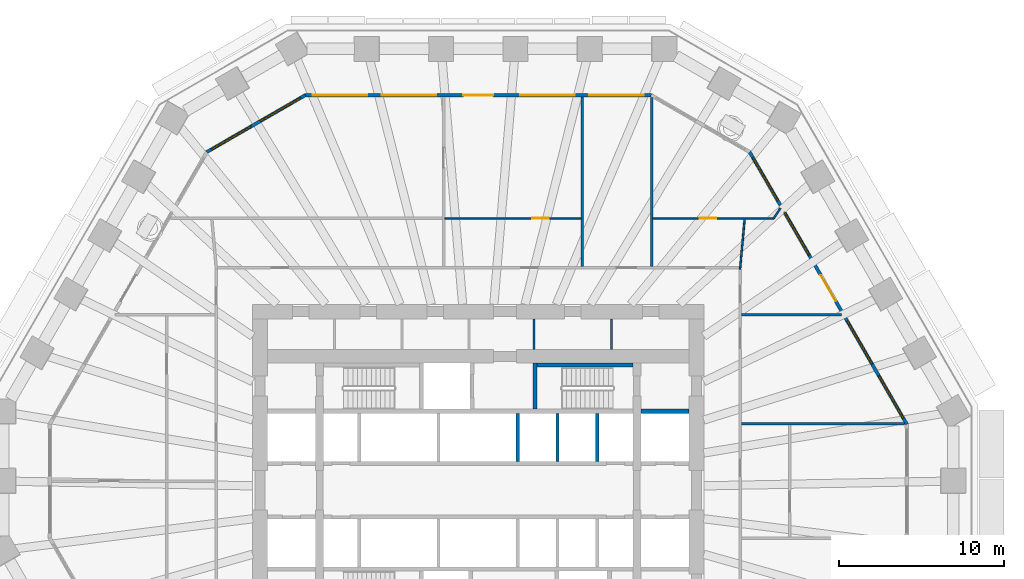
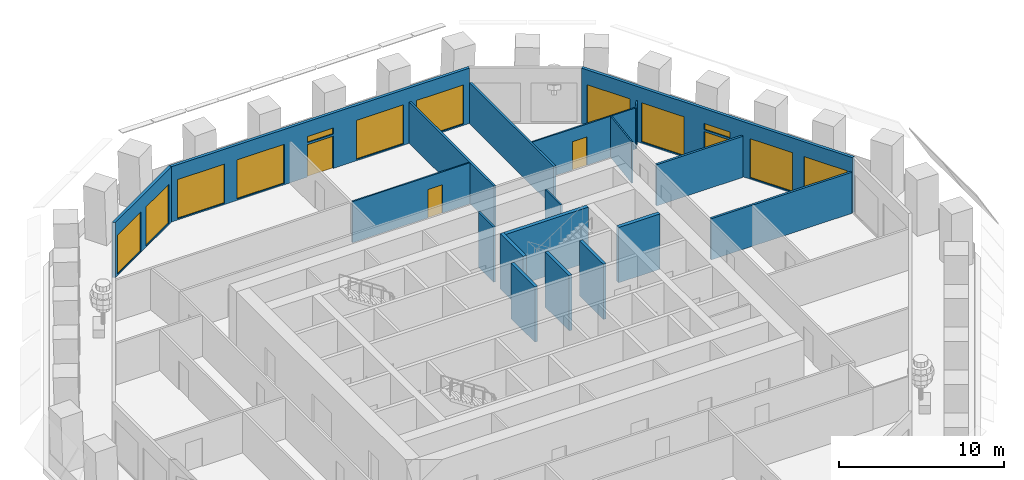
# One storey, part 8 of 13: 19 walls, 12 windows, 4 doors, 16 openings.
"""IFC4 building model written with IfcOpenShell, lengths in metres."""

from ifc_helpers import new_model, si_unit, direction, frame, frame_2d, origin, place, context, subcontext, project, spatial, polyline, rectangle, outline, extrude, material, layer, layer_set, type_object, element, fill, save


model = new_model("IFC4")

# Units and contexts
model_context = context("Model", 3, precision=1e-05, world=origin(), true_north=direction((0.0, 1.0)))
body_context = subcontext(model_context, "Body", "Model", "MODEL_VIEW")
ifc_project = project(units=[si_unit("LENGTHUNIT", "METRE"), si_unit("AREAUNIT", "SQUARE_METRE"), si_unit("VOLUMEUNIT", "CUBIC_METRE"), si_unit("PLANEANGLEUNIT", "RADIAN"), si_unit("MASSUNIT", "GRAM", prefix="KILO")], contexts=[model_context])

# Site, building, storey
site_placement = place(None, origin())
site = spatial("IfcSite", under=ifc_project, at=site_placement, CompositionType="ELEMENT")
building_placement = place(site_placement, origin())
building = spatial("IfcBuilding", under=site, at=building_placement, Name="Frailejon Research Tower", CompositionType="ELEMENT")
storey_placement = place(building_placement, frame((0.0, 0.0, 32.199951171875)))
storey = spatial("IfcBuildingStorey", under=building, at=storey_placement, Name="L07", CompositionType="ELEMENT", Elevation=32.199951171875)

# Walls
ifc_material_1 = material(Name="Plasterboard on steel studs", Category="steel")
ifc_layer_1 = layer(ifc_material_1, 0.125)
ifc_layer_set_1 = layer_set([ifc_layer_1], Name="Core partition 125")
wall_type_1 = type_object("IfcWallType", Name="Core partition 125", PredefinedType="PARTITIONING", material=ifc_layer_set_1)
for number, where, z_axis, x_axis, name in (
    (1, (3.362548828125, 8.5, 0.0), (0.0, 0.0, 1.0), (0.0, 1.0, 0.0), "Core partition"),
    (2, (8.05615234375, 8.5, 0.0), (0.0, 0.0, 1.0), (0.0, 1.0, 0.0), "Core partition"),
):
    element("IfcWall", number, at=place(storey_placement, frame(where, z_axis=z_axis, x_axis=x_axis)), inside=storey, type_object=wall_type_1, Name=name, PredefinedType="PARTITIONING", context=body_context, shape_type="SweptSolid", body=[
        extrude(rectangle(XDim=1.85009765625, YDim=0.125, at=frame_2d((0.925048828125, 0.0))), origin(), (0.0, 0.0, 1.0), 4.10009765625),
    ])
ifc_material_2 = material(Name="Gypsum board and masonry partition", Category="masonry")
ifc_layer_2 = layer(ifc_material_2, 0.14990234375)
ifc_layer_set_2 = layer_set([ifc_layer_2], Name="Laboratory partition, blockwork 150")
wall_type_2 = type_object("IfcWallType", Name="Laboratory partition, blockwork 150", PredefinedType="PARTITIONING", material=ifc_layer_set_2)
wall_1_placement = place(storey_placement, frame((15.925048828125, 4.01708984375, 0.0), z_axis=(0.0, 0.0, 1.0), x_axis=(1.0, 0.0, 0.0)))
element("IfcWall", 3, at=wall_1_placement, inside=storey, type_object=wall_type_2, Name="T:IW:L07:006", PredefinedType="PARTITIONING", context=body_context, shape_type="SweptSolid", body=[
    extrude(rectangle(XDim=9.876220703125, YDim=0.14990234375, at=frame_2d((4.93798828125, 0.0))), origin(), (0.0, 0.0, 1.0), 3.050048828125),
])
wall_2_placement = place(storey_placement, frame((15.925048828125, 10.624755859375, 0.0), z_axis=(0.0, 0.0, 1.0), x_axis=(1.0, 0.0, 0.0)))
element("IfcWall", 4, at=wall_2_placement, inside=storey, type_object=wall_type_2, Name="T:IW:L07:009", PredefinedType="PARTITIONING", context=body_context, shape_type="SweptSolid", body=[
    extrude(rectangle(XDim=6.061279296875, YDim=0.14990234375, at=frame_2d((3.03076171875, 0.0))), origin(), (0.0, 0.0, 1.0), 3.050048828125),
])
wall_3_placement = place(storey_placement, frame((10.4951171875, 13.52490234375, 0.0), z_axis=(0.0, 0.0, 1.0), x_axis=(0.0, 1.0, 0.0)))
element("IfcWall", 5, at=wall_3_placement, inside=storey, type_object=wall_type_2, Name="T:IW:L07:010", PredefinedType="PARTITIONING", context=body_context, shape_type="SweptSolid", body=[
    extrude(rectangle(XDim=10.244140625, YDim=0.14990234375, at=frame_2d((5.1220703125, 0.0))), origin(), (0.0, 0.0, 1.0), 3.050048828125),
])
wall_4_placement = place(storey_placement, frame((6.297119140625, 13.52490234375, 0.0), z_axis=(0.0, 0.0, 1.0), x_axis=(0.0, 1.0, 0.0)))
element("IfcWall", 6, at=wall_4_placement, inside=storey, type_object=wall_type_2, Name="T:IW:L07:011", PredefinedType="PARTITIONING", context=body_context, shape_type="SweptSolid", body=[
    extrude(rectangle(XDim=10.275146484375, YDim=0.14990234375, at=frame_2d((5.1376953125, 0.0))), origin(), (0.0, 0.0, 1.0), 3.050048828125),
])
ifc_material_3 = material(Name="Gypsum board and masonry partition", Category="masonry")
ifc_layer_3 = layer(ifc_material_3, 0.10009765625)
ifc_layer_set_3 = layer_set([ifc_layer_3], Name="Partition, gypsum on steel studs 100")
wall_type_3 = type_object("IfcWallType", Name="Partition, gypsum on steel studs 100", PredefinedType="PARTITIONING", material=ifc_layer_set_3)
wall_5_placement = place(storey_placement, frame((15.84326171875, 13.375244140625, 0.0), z_axis=(0.0, 0.0, 1.0), x_axis=(0.090666194534, 0.9958813389, 0.0)))
element("IfcWall", 7, at=wall_5_placement, inside=storey, type_object=wall_type_3, Name="T:IW:L07:025", PredefinedType="PARTITIONING", context=body_context, shape_type="SweptSolid", body=[
    extrude(rectangle(XDim=3.037353515625, YDim=0.10009765625, at=frame_2d((1.5185546875, 0.0))), origin(), (0.0, 0.0, 1.0), 3.050048828125),
])

# Wall, opening, door
wall_6_placement = place(storey_placement, frame((-2.02392578125, 16.449951171875, 0.0), z_axis=(0.0, 0.0, 1.0), x_axis=(1.0, 0.0, 0.0)))
wall_6 = element("IfcWall", 8, at=wall_6_placement, inside=storey, type_object=wall_type_3, Name="T:IW:L07:026", PredefinedType="PARTITIONING", context=body_context, shape_type="SweptSolid", body=[
    extrude(rectangle(XDim=8.245849609375, YDim=0.10009765625, at=frame_2d((4.123046875, 0.0))), origin(), (0.0, 0.0, 1.0), 3.050048828125),
])
opening_1_placement = place(wall_6_placement, frame((5.297119140625, 0.0, 0.0)))
opening_1 = element("IfcOpeningElement", 9, at=opening_1_placement, cuts=wall_6, Name="Opening D1327", PredefinedType="OPENING", context=body_context, shape_type="SweptSolid", body=[
    extrude(rectangle(XDim=1.0, YDim=2.10009765625, at=frame_2d((0.5, 1.050048828125))), frame((0.0, 0.06005859375, 0.0), z_axis=(0.0, -1.0, 0.0), x_axis=(1.0, 0.0, 0.0)), (0.0, 0.0, 1.0), 0.1201171875),
])
ifc_material_4 = material(Name="Timber door leaf", Category="wood")
door_type_1 = type_object("IfcDoorType", Name="Door single leaf, timber, steel frame 1000", OperationType="NOTDEFINED", PredefinedType="DOOR", material=ifc_material_4)
door_1_placement = place(opening_1_placement, origin())
door_1 = element("IfcDoor", 10, at=door_1_placement, inside=storey, type_object=door_type_1, Name="D1327", OperationType="SINGLE_SWING_LEFT", OverallHeight=2.10009765625, OverallWidth=1.0, PredefinedType="DOOR", context=body_context, shape_type="SweptSolid", body=[
    extrude(rectangle(XDim=1.0, YDim=2.10009765625, at=frame_2d((0.5, 1.050048828125))), frame((0.0, 0.02490234375, 0.0), z_axis=(0.0, -1.0, 0.0), x_axis=(1.0, 0.0, 0.0)), (0.0, 0.0, 1.0), 0.050048828125),
])
fill(opening_1, door_1)

wall_7_placement = place(storey_placement, frame((10.570068359375, 16.449951171875, 0.0), z_axis=(0.0, 0.0, 1.0), x_axis=(1.0, 0.0, 0.0)))
wall_7 = element("IfcWall", 11, at=wall_7_placement, inside=storey, type_object=wall_type_3, Name="T:IW:L07:027", PredefinedType="PARTITIONING", context=body_context, shape_type="SweptSolid", body=[
    extrude(rectangle(XDim=7.254638671875, YDim=0.10009765625, at=frame_2d((3.62744140625, 0.0))), origin(), (0.0, 0.0, 1.0), 3.050048828125),
])
opening_2_placement = place(wall_7_placement, frame((2.828125, 0.0, 0.0)))
opening_2 = element("IfcOpeningElement", 12, at=opening_2_placement, cuts=wall_7, Name="Opening D1324", PredefinedType="OPENING", context=body_context, shape_type="SweptSolid", body=[
    extrude(rectangle(XDim=1.0, YDim=2.10009765625, at=frame_2d((0.5, 1.050048828125))), frame((0.0, 0.06005859375, 0.0), z_axis=(0.0, -1.0, 0.0), x_axis=(1.0, 0.0, 0.0)), (0.0, 0.0, 1.0), 0.1201171875),
])
door_2_placement = place(opening_2_placement, origin())
door_2 = element("IfcDoor", 13, at=door_2_placement, inside=storey, type_object=door_type_1, Name="D1324", OperationType="SINGLE_SWING_RIGHT", OverallHeight=2.10009765625, OverallWidth=1.0, PredefinedType="DOOR", context=body_context, shape_type="SweptSolid", body=[
    extrude(rectangle(XDim=1.0, YDim=2.10009765625, at=frame_2d((0.5, 1.050048828125))), frame((0.0, 0.02490234375, 0.0), z_axis=(0.0, -1.0, 0.0), x_axis=(1.0, 0.0, 0.0)), (0.0, 0.0, 1.0), 0.050048828125),
])
fill(opening_2, door_2)

# Walls
wall_8_placement = place(storey_placement, frame((17.8466796875, 16.40869140625, 0.0), z_axis=(0.0, 0.0, 1.0), x_axis=(0.559587069363, 0.828771567925, 0.0)))
element("IfcWall", 14, at=wall_8_placement, inside=storey, type_object=wall_type_3, Name="T:IW:L07:028", PredefinedType="PARTITIONING", context=body_context, shape_type="SweptSolid", body=[
    extrude(rectangle(XDim=0.77099609375, YDim=0.10009765625, at=frame_2d((0.385498046875, 0.0))), origin(), (0.0, 0.0, 1.0), 3.050048828125),
])
ifc_material_5 = material(Name="Concrete C70/85", Category="concrete")
ifc_layer_4 = layer(ifc_material_5, 0.199951171875)
ifc_layer_set_4 = layer_set([ifc_layer_4], Name="Shaft wall 200 C70/85")
wall_type_4 = type_object("IfcWallType", Name="Shaft wall 200 C70/85", PredefinedType="SOLIDWALL", material=ifc_layer_set_4)
for number, where, z_axis, x_axis, name in (
    (15, (2.39990234375, 1.75, 0.0), (0.0, 0.0, 1.0), (0.0, 1.0, 0.0), "Shaft wall"),
    (16, (4.800048828125, 1.75, 0.0), (0.0, 0.0, 1.0), (0.0, 1.0, 0.0), "Shaft wall"),
    (17, (7.199951171875, 1.75, 0.0), (0.0, 0.0, 1.0), (0.0, 1.0, 0.0), "Shaft wall"),
):
    element("IfcWall", number, at=place(storey_placement, frame(where, z_axis=z_axis, x_axis=x_axis)), inside=storey, type_object=wall_type_4, Name=name, PredefinedType="SOLIDWALL", context=body_context, shape_type="SweptSolid", body=[
        extrude(rectangle(XDim=2.89990234375, YDim=0.199951171875, at=frame_2d((1.449951171875, 0.0))), origin(), (0.0, 0.0, 1.0), 4.10009765625),
    ])
ifc_material_6 = material(Name="Concrete C70/85", Category="concrete")
ifc_layer_5 = layer(ifc_material_6, 0.25)
ifc_layer_set_5 = layer_set([ifc_layer_5], Name="Shaft wall 250 C70/85")
wall_type_5 = type_object("IfcWallType", Name="Shaft wall 250 C70/85", PredefinedType="SOLIDWALL", material=ifc_layer_set_5)
wall_9_placement = place(storey_placement, frame((9.85009765625, 4.77490234375, 0.0), z_axis=(0.0, 0.0, 1.0), x_axis=(1.0, 0.0, 0.0)))
element("IfcWall", 18, at=wall_9_placement, inside=storey, type_object=wall_type_5, Name="Shaft wall", PredefinedType="SOLIDWALL", context=body_context, shape_type="SweptSolid", body=[
    extrude(rectangle(XDim=2.89990234375, YDim=0.25, at=frame_2d((1.449951171875, 0.0))), origin(), (0.0, 0.0, 1.0), 4.10009765625),
])
wall_10_placement = place(storey_placement, frame((3.550048828125, 7.574951171875, 0.0), z_axis=(0.0, 0.0, 1.0), x_axis=(1.0, 0.0, 0.0)))
element("IfcWall", 19, at=wall_10_placement, inside=storey, type_object=wall_type_5, Name="Shaft wall", PredefinedType="SOLIDWALL", context=body_context, shape_type="SweptSolid", body=[
    extrude(rectangle(XDim=5.800048828125, YDim=0.25, at=frame_2d((2.89990234375, 0.0))), origin(), (0.0, 0.0, 1.0), 4.10009765625),
])
wall_11_placement = place(storey_placement, frame((3.425048828125, 4.89990234375, 0.0), z_axis=(0.0, 0.0, 1.0), x_axis=(0.0, 1.0, 0.0)))
element("IfcWall", 20, at=wall_11_placement, inside=storey, type_object=wall_type_5, Name="Shaft wall", PredefinedType="SOLIDWALL", context=body_context, shape_type="SweptSolid", body=[
    extrude(rectangle(XDim=2.800048828125, YDim=0.25, at=frame_2d((1.39990234375, 0.0))), origin(), (0.0, 0.0, 1.0), 4.10009765625),
])

# Wall, openings, door, windows
ifc_material_7 = material(Name="Concrete C40/50 precast window wall panel", Category="concrete")
ifc_layer_6 = layer(ifc_material_7, 0.199951171875)
ifc_layer_set_6 = layer_set([ifc_layer_6], Name="Window wall 200")
wall_type_6 = type_object("IfcWallType", Name="Window wall 200", PredefinedType="SOLIDWALL", material=ifc_layer_set_6)
wall_12_placement = place(storey_placement, frame((25.93212890625, 3.990478515625, 0.0), z_axis=(0.0, 0.0, 1.0), x_axis=(-0.500001707189, 0.866024418136, 0.0)))
wall_12 = element("IfcWall", 21, at=wall_12_placement, inside=storey, type_object=wall_type_6, Name="Exterior wall L07", PredefinedType="SOLIDWALL", context=body_context, shape_type="SweptSolid", body=[
    extrude(outline(polyline([(-0.02685546875, -0.10009765625), (0.97705078125, -0.10009765625), (1.98095703125, -0.10009765625), (2.98486328125, -0.10009765625), (3.98876953125, -0.10009765625), (4.99267578125, -0.10009765625), (5.99658203125, -0.10009765625), (7.00048828125, -0.10009765625), (8.00439453125, -0.10009765625), (9.00830078125, -0.10009765625), (10.01220703125, -0.10009765625), (11.01611328125, -0.10009765625), (12.02001953125, -0.10009765625), (13.02392578125, -0.10009765625), (14.02783203125, -0.10009765625), (15.03173828125, -0.10009765625), (16.03564453125, -0.10009765625), (17.03955078125, -0.10009765625), (18.04345703125, -0.10009765625), (19.04736328125, -0.10009765625), (18.99365234375, 0.10009765625), (17.995361328125, 0.10009765625), (16.9970703125, 0.10009765625), (15.998779296875, 0.10009765625), (15.000732421875, 0.10009765625), (14.00244140625, 0.10009765625), (13.004150390625, 0.10009765625), (12.005859375, 0.10009765625), (11.007568359375, 0.10009765625), (10.00927734375, 0.10009765625), (9.01123046875, 0.10009765625), (8.012939453125, 0.10009765625), (7.0146484375, 0.10009765625), (6.016357421875, 0.10009765625), (5.01806640625, 0.10009765625), (4.019775390625, 0.10009765625), (3.021728515625, 0.10009765625), (2.0234375, 0.10009765625), (1.025146484375, 0.10009765625), (0.02685546875, 0.10009765625), (-0.02685546875, -0.10009765625)])), origin(), (0.0, 0.0, 1.0), 4.10009765625),
])
opening_3_placement = place(wall_12_placement, frame((0.402099609375, 0.0, 0.10009765625)))
opening_3 = element("IfcOpeningElement", 22, at=opening_3_placement, cuts=wall_12, Name="Opening W4", PredefinedType="OPENING", context=body_context, shape_type="SweptSolid", body=[
    extrude(rectangle(XDim=3.0, YDim=2.89990234375, at=frame_2d((1.5, 1.449951171875))), frame((0.0, 0.10986328125, 0.0), z_axis=(0.0, -1.0, 0.0), x_axis=(1.0, 0.0, 0.0)), (0.0, 0.0, 1.0), 0.219970703125),
])
opening_4_placement = place(wall_12_placement, frame((4.206298828125, 0.0, 0.10009765625)))
opening_4 = element("IfcOpeningElement", 23, at=opening_4_placement, cuts=wall_12, Name="Opening W4", PredefinedType="OPENING", context=body_context, shape_type="SweptSolid", body=[
    extrude(rectangle(XDim=3.0, YDim=2.89990234375, at=frame_2d((1.5, 1.449951171875))), frame((0.0, 0.10986328125, 0.0), z_axis=(0.0, -1.0, 0.0), x_axis=(1.0, 0.0, 0.0)), (0.0, 0.0, 1.0), 0.219970703125),
])
opening_5_placement = place(wall_12_placement, frame((8.6103515625, 0.0, 0.0)))
opening_5 = element("IfcOpeningElement", 24, at=opening_5_placement, cuts=wall_12, Name="Opening LG07-1", PredefinedType="OPENING", context=body_context, shape_type="SweptSolid", body=[
    extrude(rectangle(XDim=1.800048828125, YDim=2.39990234375, at=frame_2d((0.89990234375, 1.199951171875))), frame((0.0, 0.10986328125, 0.0), z_axis=(0.0, -1.0, 0.0), x_axis=(1.0, 0.0, 0.0)), (0.0, 0.0, 1.0), 0.219970703125),
])
opening_6_placement = place(wall_12_placement, frame((8.6103515625, 0.0, 2.550048828125)))
opening_6 = element("IfcOpeningElement", 25, at=opening_6_placement, cuts=wall_12, Name="Opening W1", PredefinedType="OPENING", context=body_context, shape_type="SweptSolid", body=[
    extrude(rectangle(XDim=1.800048828125, YDim=0.449951171875, at=frame_2d((0.89990234375, 0.22509765625))), frame((0.0, 0.10986328125, 0.0), z_axis=(0.0, -1.0, 0.0), x_axis=(1.0, 0.0, 0.0)), (0.0, 0.0, 1.0), 0.219970703125),
])
opening_7_placement = place(wall_12_placement, frame((11.814453125, 0.0, 0.10009765625)))
opening_7 = element("IfcOpeningElement", 26, at=opening_7_placement, cuts=wall_12, Name="Opening W4", PredefinedType="OPENING", context=body_context, shape_type="SweptSolid", body=[
    extrude(rectangle(XDim=3.0, YDim=2.89990234375, at=frame_2d((1.5, 1.449951171875))), frame((0.0, 0.10986328125, 0.0), z_axis=(0.0, -1.0, 0.0), x_axis=(1.0, 0.0, 0.0)), (0.0, 0.0, 1.0), 0.219970703125),
])
opening_8_placement = place(wall_12_placement, frame((15.618408203125, 0.0, 0.10009765625)))
opening_8 = element("IfcOpeningElement", 27, at=opening_8_placement, cuts=wall_12, Name="Opening W4", PredefinedType="OPENING", context=body_context, shape_type="SweptSolid", body=[
    extrude(rectangle(XDim=3.0, YDim=2.89990234375, at=frame_2d((1.5, 1.449951171875))), frame((0.0, 0.10986328125, 0.0), z_axis=(0.0, -1.0, 0.0), x_axis=(1.0, 0.0, 0.0)), (0.0, 0.0, 1.0), 0.219970703125),
])
ifc_material_8 = material(Name="Aluminium framed glazed door leaf", Category="aluminium")
door_type_2 = type_object("IfcDoorType", Name="Loggia door 1800x2400", OperationType="DOUBLE_DOOR_SINGLE_SWING", PredefinedType="DOOR", material=ifc_material_8)
door_3_placement = place(opening_5_placement, origin())
door_3 = element("IfcDoor", 28, at=door_3_placement, inside=storey, type_object=door_type_2, Name="Door LG07-1", OperationType="DOUBLE_DOOR_SINGLE_SWING", OverallHeight=2.39990234375, OverallWidth=1.800048828125, PredefinedType="DOOR", context=body_context, shape_type="SweptSolid", body=[
    extrude(rectangle(XDim=1.800048828125, YDim=2.39990234375, at=frame_2d((0.89990234375, 1.199951171875))), frame((0.0, 0.02490234375, 0.0), z_axis=(0.0, -1.0, 0.0), x_axis=(1.0, 0.0, 0.0)), (0.0, 0.0, 1.0), 0.050048828125),
])
fill(opening_5, door_3)
ifc_material_9 = material(Name="Aluminium framed double glazing", Category="aluminium")
window_type_1 = type_object("IfcWindowType", Name="Window 1800x450", PartitioningType="SINGLE_PANEL", PredefinedType="WINDOW", material=ifc_material_9)
window_1_placement = place(opening_6_placement, origin())
window_1 = element("IfcWindow", 29, at=window_1_placement, inside=storey, type_object=window_type_1, Name="Window L07", OverallHeight=0.449951171875, OverallWidth=1.800048828125, PartitioningType="SINGLE_PANEL", PredefinedType="WINDOW", context=body_context, shape_type="SweptSolid", body=[
    extrude(rectangle(XDim=1.800048828125, YDim=0.449951171875, at=frame_2d((0.89990234375, 0.22509765625))), frame((0.0, 0.030029296875, 0.0), z_axis=(0.0, -1.0, 0.0), x_axis=(1.0, 0.0, 0.0)), (0.0, 0.0, 1.0), 0.06005859375),
])
fill(opening_6, window_1)
ifc_material_10 = material(Name="Aluminium framed double glazing", Category="aluminium")
window_type_2 = type_object("IfcWindowType", Name="Window 3000x2900", PartitioningType="SINGLE_PANEL", PredefinedType="WINDOW", material=ifc_material_10)
window_2_placement = place(opening_3_placement, origin())
window_2 = element("IfcWindow", 30, at=window_2_placement, inside=storey, type_object=window_type_2, Name="Window L07", OverallHeight=2.89990234375, OverallWidth=3.0, PartitioningType="SINGLE_PANEL", PredefinedType="WINDOW", context=body_context, shape_type="SweptSolid", body=[
    extrude(rectangle(XDim=3.0, YDim=2.89990234375, at=frame_2d((1.5, 1.449951171875))), frame((0.0, 0.030029296875, 0.0), z_axis=(0.0, -1.0, 0.0), x_axis=(1.0, 0.0, 0.0)), (0.0, 0.0, 1.0), 0.06005859375),
])
fill(opening_3, window_2)
window_3_placement = place(opening_4_placement, origin())
window_3 = element("IfcWindow", 31, at=window_3_placement, inside=storey, type_object=window_type_2, Name="Window L07", OverallHeight=2.89990234375, OverallWidth=3.0, PartitioningType="SINGLE_PANEL", PredefinedType="WINDOW", context=body_context, shape_type="SweptSolid", body=[
    extrude(rectangle(XDim=3.0, YDim=2.89990234375, at=frame_2d((1.5, 1.449951171875))), frame((0.0, 0.030029296875, 0.0), z_axis=(0.0, -1.0, 0.0), x_axis=(1.0, 0.0, 0.0)), (0.0, 0.0, 1.0), 0.06005859375),
])
fill(opening_4, window_3)
window_4_placement = place(opening_7_placement, origin())
window_4 = element("IfcWindow", 32, at=window_4_placement, inside=storey, type_object=window_type_2, Name="Window L07", OverallHeight=2.89990234375, OverallWidth=3.0, PartitioningType="SINGLE_PANEL", PredefinedType="WINDOW", context=body_context, shape_type="SweptSolid", body=[
    extrude(rectangle(XDim=3.0, YDim=2.89990234375, at=frame_2d((1.5, 1.449951171875))), frame((0.0, 0.030029296875, 0.0), z_axis=(0.0, -1.0, 0.0), x_axis=(1.0, 0.0, 0.0)), (0.0, 0.0, 1.0), 0.06005859375),
])
fill(opening_7, window_4)
window_5_placement = place(opening_8_placement, origin())
window_5 = element("IfcWindow", 33, at=window_5_placement, inside=storey, type_object=window_type_2, Name="Window L07", OverallHeight=2.89990234375, OverallWidth=3.0, PartitioningType="SINGLE_PANEL", PredefinedType="WINDOW", context=body_context, shape_type="SweptSolid", body=[
    extrude(rectangle(XDim=3.0, YDim=2.89990234375, at=frame_2d((1.5, 1.449951171875))), frame((0.0, 0.030029296875, 0.0), z_axis=(0.0, -1.0, 0.0), x_axis=(1.0, 0.0, 0.0)), (0.0, 0.0, 1.0), 0.06005859375),
])
fill(opening_8, window_5)

wall_13_placement = place(storey_placement, frame((10.46826171875, 23.89990234375, 0.0), z_axis=(0.0, 0.0, 1.0), x_axis=(-1.0, 0.0, 0.0)))
wall_13 = element("IfcWall", 34, at=wall_13_placement, inside=storey, type_object=wall_type_6, Name="Exterior wall L07", PredefinedType="SOLIDWALL", context=body_context, shape_type="SweptSolid", body=[
    extrude(outline(polyline([(-0.02685546875, -0.10009765625), (1.022705078125, -0.10009765625), (2.072265625, -0.10009765625), (3.12158203125, -0.10009765625), (4.171142578125, -0.10009765625), (5.220703125, -0.10009765625), (6.270263671875, -0.10009765625), (7.31982421875, -0.10009765625), (8.369140625, -0.10009765625), (9.418701171875, -0.10009765625), (10.46826171875, -0.10009765625), (11.517822265625, -0.10009765625), (12.5673828125, -0.10009765625), (13.61669921875, -0.10009765625), (14.666259765625, -0.10009765625), (15.7158203125, -0.10009765625), (16.765380859375, -0.10009765625), (17.81494140625, -0.10009765625), (18.8642578125, -0.10009765625), (19.913818359375, -0.10009765625), (20.96337890625, -0.10009765625), (20.90966796875, 0.10009765625), (19.865478515625, 0.10009765625), (18.8212890625, 0.10009765625), (17.77734375, 0.10009765625), (16.733154296875, 0.10009765625), (15.68896484375, 0.10009765625), (14.644775390625, 0.10009765625), (13.6005859375, 0.10009765625), (12.556640625, 0.10009765625), (11.512451171875, 0.10009765625), (10.46826171875, 0.10009765625), (9.424072265625, 0.10009765625), (8.3798828125, 0.10009765625), (7.3359375, 0.10009765625), (6.291748046875, 0.10009765625), (5.24755859375, 0.10009765625), (4.203369140625, 0.10009765625), (3.1591796875, 0.10009765625), (2.115234375, 0.10009765625), (1.071044921875, 0.10009765625), (0.02685546875, 0.10009765625), (-0.02685546875, -0.10009765625)])), origin(), (0.0, 0.0, 1.0), 4.10009765625),
])
opening_9_placement = place(wall_13_placement, frame((0.443603515625, 0.0, 0.10009765625)))
opening_9 = element("IfcOpeningElement", 35, at=opening_9_placement, cuts=wall_13, Name="Opening W5", PredefinedType="OPENING", context=body_context, shape_type="SweptSolid", body=[
    extrude(rectangle(XDim=3.300048828125, YDim=2.89990234375, at=frame_2d((1.64990234375, 1.449951171875))), frame((0.0, 0.10986328125, 0.0), z_axis=(0.0, -1.0, 0.0), x_axis=(1.0, 0.0, 0.0)), (0.0, 0.0, 1.0), 0.219970703125),
])
opening_10_placement = place(wall_13_placement, frame((4.631103515625, 0.0, 0.10009765625)))
opening_10 = element("IfcOpeningElement", 36, at=opening_10_placement, cuts=wall_13, Name="Opening W5", PredefinedType="OPENING", context=body_context, shape_type="SweptSolid", body=[
    extrude(rectangle(XDim=3.300048828125, YDim=2.89990234375, at=frame_2d((1.64990234375, 1.449951171875))), frame((0.0, 0.10986328125, 0.0), z_axis=(0.0, -1.0, 0.0), x_axis=(1.0, 0.0, 0.0)), (0.0, 0.0, 1.0), 0.219970703125),
])
opening_11_placement = place(wall_13_placement, frame((9.568359375, 0.0, 0.0)))
opening_11 = element("IfcOpeningElement", 37, at=opening_11_placement, cuts=wall_13, Name="Opening LG07-2", PredefinedType="OPENING", context=body_context, shape_type="SweptSolid", body=[
    extrude(rectangle(XDim=1.800048828125, YDim=2.39990234375, at=frame_2d((0.89990234375, 1.199951171875))), frame((0.0, 0.10986328125, 0.0), z_axis=(0.0, -1.0, 0.0), x_axis=(1.0, 0.0, 0.0)), (0.0, 0.0, 1.0), 0.219970703125),
])
opening_12_placement = place(wall_13_placement, frame((9.568359375, 0.0, 2.550048828125)))
opening_12 = element("IfcOpeningElement", 38, at=opening_12_placement, cuts=wall_13, Name="Opening W1", PredefinedType="OPENING", context=body_context, shape_type="SweptSolid", body=[
    extrude(rectangle(XDim=1.800048828125, YDim=0.449951171875, at=frame_2d((0.89990234375, 0.22509765625))), frame((0.0, 0.10986328125, 0.0), z_axis=(0.0, -1.0, 0.0), x_axis=(1.0, 0.0, 0.0)), (0.0, 0.0, 1.0), 0.219970703125),
])
opening_13_placement = place(wall_13_placement, frame((13.005615234375, 0.0, 0.10009765625)))
opening_13 = element("IfcOpeningElement", 39, at=opening_13_placement, cuts=wall_13, Name="Opening W5", PredefinedType="OPENING", context=body_context, shape_type="SweptSolid", body=[
    extrude(rectangle(XDim=3.300048828125, YDim=2.89990234375, at=frame_2d((1.64990234375, 1.449951171875))), frame((0.0, 0.10986328125, 0.0), z_axis=(0.0, -1.0, 0.0), x_axis=(1.0, 0.0, 0.0)), (0.0, 0.0, 1.0), 0.219970703125),
])
opening_14_placement = place(wall_13_placement, frame((17.19287109375, 0.0, 0.10009765625)))
opening_14 = element("IfcOpeningElement", 40, at=opening_14_placement, cuts=wall_13, Name="Opening W5", PredefinedType="OPENING", context=body_context, shape_type="SweptSolid", body=[
    extrude(rectangle(XDim=3.300048828125, YDim=2.89990234375, at=frame_2d((1.64990234375, 1.449951171875))), frame((0.0, 0.10986328125, 0.0), z_axis=(0.0, -1.0, 0.0), x_axis=(1.0, 0.0, 0.0)), (0.0, 0.0, 1.0), 0.219970703125),
])
door_4_placement = place(opening_11_placement, origin())
door_4 = element("IfcDoor", 41, at=door_4_placement, inside=storey, type_object=door_type_2, Name="Door LG07-2", OperationType="DOUBLE_DOOR_SINGLE_SWING", OverallHeight=2.39990234375, OverallWidth=1.800048828125, PredefinedType="DOOR", context=body_context, shape_type="SweptSolid", body=[
    extrude(rectangle(XDim=1.800048828125, YDim=2.39990234375, at=frame_2d((0.89990234375, 1.199951171875))), frame((0.0, 0.02490234375, 0.0), z_axis=(0.0, -1.0, 0.0), x_axis=(1.0, 0.0, 0.0)), (0.0, 0.0, 1.0), 0.050048828125),
])
fill(opening_11, door_4)
window_6_placement = place(opening_12_placement, origin())
window_6 = element("IfcWindow", 42, at=window_6_placement, inside=storey, type_object=window_type_1, Name="Window L07", OverallHeight=0.449951171875, OverallWidth=1.800048828125, PartitioningType="SINGLE_PANEL", PredefinedType="WINDOW", context=body_context, shape_type="SweptSolid", body=[
    extrude(rectangle(XDim=1.800048828125, YDim=0.449951171875, at=frame_2d((0.89990234375, 0.22509765625))), frame((0.0, 0.030029296875, 0.0), z_axis=(0.0, -1.0, 0.0), x_axis=(1.0, 0.0, 0.0)), (0.0, 0.0, 1.0), 0.06005859375),
])
fill(opening_12, window_6)
ifc_material_11 = material(Name="Aluminium framed double glazing", Category="aluminium")
window_type_3 = type_object("IfcWindowType", Name="Window 3300x2900", PartitioningType="SINGLE_PANEL", PredefinedType="WINDOW", material=ifc_material_11)
window_7_placement = place(opening_9_placement, origin())
window_7 = element("IfcWindow", 43, at=window_7_placement, inside=storey, type_object=window_type_3, Name="Window L07", OverallHeight=2.89990234375, OverallWidth=3.300048828125, PartitioningType="SINGLE_PANEL", PredefinedType="WINDOW", context=body_context, shape_type="SweptSolid", body=[
    extrude(rectangle(XDim=3.300048828125, YDim=2.89990234375, at=frame_2d((1.64990234375, 1.449951171875))), frame((0.0, 0.030029296875, 0.0), z_axis=(0.0, -1.0, 0.0), x_axis=(1.0, 0.0, 0.0)), (0.0, 0.0, 1.0), 0.06005859375),
])
fill(opening_9, window_7)
window_8_placement = place(opening_10_placement, origin())
window_8 = element("IfcWindow", 44, at=window_8_placement, inside=storey, type_object=window_type_3, Name="Window L07", OverallHeight=2.89990234375, OverallWidth=3.300048828125, PartitioningType="SINGLE_PANEL", PredefinedType="WINDOW", context=body_context, shape_type="SweptSolid", body=[
    extrude(rectangle(XDim=3.300048828125, YDim=2.89990234375, at=frame_2d((1.64990234375, 1.449951171875))), frame((0.0, 0.030029296875, 0.0), z_axis=(0.0, -1.0, 0.0), x_axis=(1.0, 0.0, 0.0)), (0.0, 0.0, 1.0), 0.06005859375),
])
fill(opening_10, window_8)
window_9_placement = place(opening_13_placement, origin())
window_9 = element("IfcWindow", 45, at=window_9_placement, inside=storey, type_object=window_type_3, Name="Window L07", OverallHeight=2.89990234375, OverallWidth=3.300048828125, PartitioningType="SINGLE_PANEL", PredefinedType="WINDOW", context=body_context, shape_type="SweptSolid", body=[
    extrude(rectangle(XDim=3.300048828125, YDim=2.89990234375, at=frame_2d((1.64990234375, 1.449951171875))), frame((0.0, 0.030029296875, 0.0), z_axis=(0.0, -1.0, 0.0), x_axis=(1.0, 0.0, 0.0)), (0.0, 0.0, 1.0), 0.06005859375),
])
fill(opening_13, window_9)
window_10_placement = place(opening_14_placement, origin())
window_10 = element("IfcWindow", 46, at=window_10_placement, inside=storey, type_object=window_type_3, Name="Window L07", OverallHeight=2.89990234375, OverallWidth=3.300048828125, PartitioningType="SINGLE_PANEL", PredefinedType="WINDOW", context=body_context, shape_type="SweptSolid", body=[
    extrude(rectangle(XDim=3.300048828125, YDim=2.89990234375, at=frame_2d((1.64990234375, 1.449951171875))), frame((0.0, 0.030029296875, 0.0), z_axis=(0.0, -1.0, 0.0), x_axis=(1.0, 0.0, 0.0)), (0.0, 0.0, 1.0), 0.06005859375),
])
fill(opening_14, window_10)

# Wall, openings, windows
wall_14_placement = place(storey_placement, frame((-10.46826171875, 23.89990234375, 0.0), z_axis=(0.0, 0.0, 1.0), x_axis=(-0.866029458321, -0.49999297727, 0.0)))
wall_14 = element("IfcWall", 47, at=wall_14_placement, inside=storey, type_object=wall_type_6, Name="Exterior wall L07", PredefinedType="SOLIDWALL", context=body_context, shape_type="SweptSolid", body=[
    extrude(outline(polyline([(-0.02685546875, -0.10009765625), (1.1279296875, -0.10009765625), (2.282470703125, -0.10009765625), (3.437255859375, -0.10009765625), (4.592041015625, -0.10009765625), (5.74658203125, -0.10009765625), (6.9013671875, -0.10009765625), (6.84765625, 0.10009765625), (5.7109375, 0.10009765625), (4.573974609375, 0.10009765625), (3.437255859375, 0.10009765625), (2.300537109375, 0.10009765625), (1.16357421875, 0.10009765625), (0.02685546875, 0.10009765625), (-0.02685546875, -0.10009765625)])), origin(), (0.0, 0.0, 1.0), 4.10009765625),
])
opening_15_placement = place(wall_14_placement, frame((0.318603515625, 0.0, 0.10009765625)))
opening_15 = element("IfcOpeningElement", 48, at=opening_15_placement, cuts=wall_14, Name="Opening W3", PredefinedType="OPENING", context=body_context, shape_type="SweptSolid", body=[
    extrude(rectangle(XDim=2.800048828125, YDim=2.89990234375, at=frame_2d((1.39990234375, 1.449951171875))), frame((0.0, 0.10986328125, 0.0), z_axis=(0.0, -1.0, 0.0), x_axis=(1.0, 0.0, 0.0)), (0.0, 0.0, 1.0), 0.219970703125),
])
opening_16_placement = place(wall_14_placement, frame((3.756103515625, 0.0, 0.10009765625)))
opening_16 = element("IfcOpeningElement", 49, at=opening_16_placement, cuts=wall_14, Name="Opening W3", PredefinedType="OPENING", context=body_context, shape_type="SweptSolid", body=[
    extrude(rectangle(XDim=2.800048828125, YDim=2.89990234375, at=frame_2d((1.39990234375, 1.449951171875))), frame((0.0, 0.10986328125, 0.0), z_axis=(0.0, -1.0, 0.0), x_axis=(1.0, 0.0, 0.0)), (0.0, 0.0, 1.0), 0.219970703125),
])
ifc_material_12 = material(Name="Aluminium framed double glazing", Category="aluminium")
window_type_4 = type_object("IfcWindowType", Name="Window 2800x2900", PartitioningType="SINGLE_PANEL", PredefinedType="WINDOW", material=ifc_material_12)
window_11_placement = place(opening_15_placement, origin())
window_11 = element("IfcWindow", 50, at=window_11_placement, inside=storey, type_object=window_type_4, Name="Window L07", OverallHeight=2.89990234375, OverallWidth=2.800048828125, PartitioningType="SINGLE_PANEL", PredefinedType="WINDOW", context=body_context, shape_type="SweptSolid", body=[
    extrude(rectangle(XDim=2.800048828125, YDim=2.89990234375, at=frame_2d((1.39990234375, 1.449951171875))), frame((0.0, 0.030029296875, 0.0), z_axis=(0.0, -1.0, 0.0), x_axis=(1.0, 0.0, 0.0)), (0.0, 0.0, 1.0), 0.06005859375),
])
fill(opening_15, window_11)
window_12_placement = place(opening_16_placement, origin())
window_12 = element("IfcWindow", 51, at=window_12_placement, inside=storey, type_object=window_type_4, Name="Window L07", OverallHeight=2.89990234375, OverallWidth=2.800048828125, PartitioningType="SINGLE_PANEL", PredefinedType="WINDOW", context=body_context, shape_type="SweptSolid", body=[
    extrude(rectangle(XDim=2.800048828125, YDim=2.89990234375, at=frame_2d((1.39990234375, 1.449951171875))), frame((0.0, 0.030029296875, 0.0), z_axis=(0.0, -1.0, 0.0), x_axis=(1.0, 0.0, 0.0)), (0.0, 0.0, 1.0), 0.06005859375),
])
fill(opening_16, window_12)

save(model, "model.ifc")
